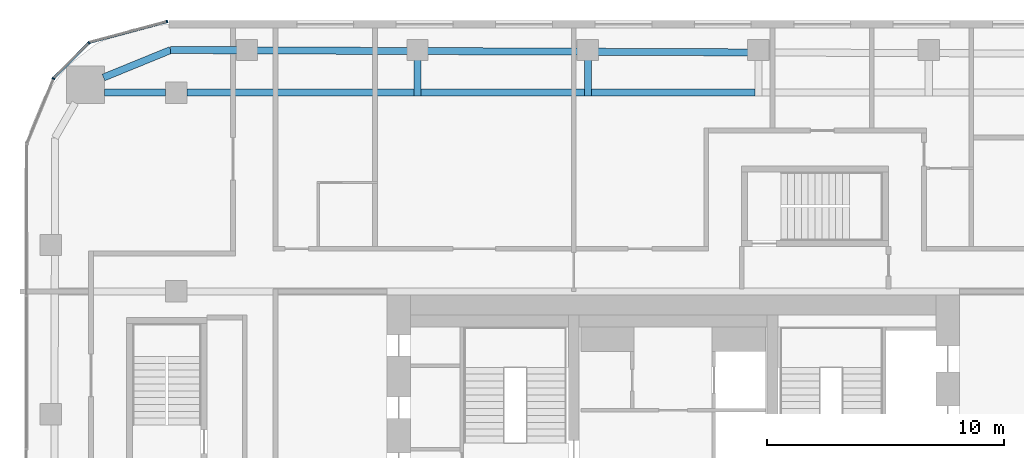
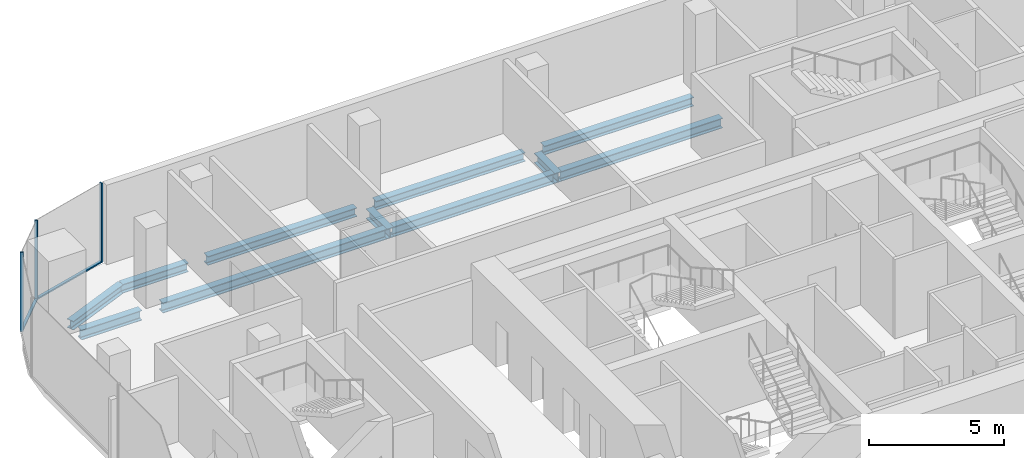
# One storey, part 10 of 23: 11 beams, 5 members, 3 elements without a shape of their own.
"""IFC4 building model written with IfcOpenShell, lengths in metres."""

import ifcopenshell
import ifcopenshell.guid

model = None  # the IFC model being written
_history = None  # IfcOwnerHistory: only IFC2X3 demands one
_inside = {}  # id of a spatial element -> (the spatial element, [elements in it])
_under = {}  # id of a project, library or spatial element -> (it, [spatial elements below it])
_declared = {}  # id of a project -> (the project, [libraries it declares])
_typed = {}  # id of a type object -> (the type object, [elements of that type])
_made_of = {}  # id of a material, layer set ... -> (it, [elements and type objects made of it])


def new_model(schema):
    """Start an empty IFC model of exactly this schema.

    Asked for "IFC4X3", IfcOpenShell would pick the latest addendum, in which some entities
    have other attributes; the version numbers below select the first issue.
    IFC2X3 requires an IfcOwnerHistory on every rooted entity: one is made here for all.
    """
    global model, _history
    if schema == "IFC4X3":
        model = ifcopenshell.file(schema_version=(4, 3, 0, 0))
    else:
        model = ifcopenshell.file(schema=schema)
    _inside.clear()
    _under.clear()
    _declared.clear()
    _typed.clear()
    _made_of.clear()
    _history = None
    if model.schema == "IFC2X3":
        org = make("IfcOrganization", Name="unknown")
        user = make(
            "IfcPersonAndOrganization",
            ThePerson=make("IfcPerson", FamilyName="unknown"),
            TheOrganization=org,
        )
        app = make(
            "IfcApplication",
            ApplicationDeveloper=org,
            Version="unknown",
            ApplicationFullName="unknown",
            ApplicationIdentifier="unknown",
        )
        _history = make(
            "IfcOwnerHistory",
            OwningUser=user,
            OwningApplication=app,
            ChangeAction="ADDED",
            CreationDate=0,
        )
    return model


def make(cls, **values):
    """One entity of the class cls with the attributes given. An attribute that is None is left unset."""
    return model.create_entity(
        cls, **{name: value for name, value in values.items() if value is not None}
    )


def rooted(cls, **values):
    """An entity with a GlobalId (a new one), such as an element, a storey or a relation."""
    return make(cls, GlobalId=ifcopenshell.guid.new(), OwnerHistory=_history, **values)


def si_unit(unit_type, name, prefix=None):
    """IfcSIUnit, for example si_unit("LENGTHUNIT", "METRE", prefix="MILLI")."""
    return make("IfcSIUnit", UnitType=unit_type, Prefix=prefix, Name=name)


def assignment(units):
    """IfcUnitAssignment: the units of a project."""
    return None if units is None else make("IfcUnitAssignment", Units=units)


def point(xyz):
    """IfcCartesianPoint."""
    return None if xyz is None else make("IfcCartesianPoint", Coordinates=xyz)


def direction(xyz):
    """IfcDirection."""
    return None if xyz is None else make("IfcDirection", DirectionRatios=xyz)


def frame(location, z_axis=None, x_axis=None):
    """IfcAxis2Placement3D, a coordinate frame: its origin and axes. An axis left out is left unset."""
    return make(
        "IfcAxis2Placement3D",
        Location=point(location),
        Axis=direction(z_axis),
        RefDirection=direction(x_axis),
    )


def frame_2d(location, x_axis=None):
    """IfcAxis2Placement2D, a coordinate frame in the plane: its origin and x axis."""
    return make(
        "IfcAxis2Placement2D", Location=point(location), RefDirection=direction(x_axis)
    )


def origin():
    """The frame at (0, 0, 0) with its axes left unset."""
    return frame((0.0, 0.0, 0.0))


def origin_2d():
    """The frame at (0, 0) in the plane with its x axis left unset."""
    return frame_2d((0.0, 0.0))


def place(relative_to, where):
    """IfcLocalPlacement: puts the frame where relative to a parent placement (None: the world)."""
    return make(
        "IfcLocalPlacement", PlacementRelTo=relative_to, RelativePlacement=where
    )


def context(
    kind, dimensions, precision=None, world=None, true_north=None, identifier=None
):
    """IfcGeometricRepresentationContext, for example the 3D "Model" context."""
    return make(
        "IfcGeometricRepresentationContext",
        ContextIdentifier=identifier,
        ContextType=kind,
        CoordinateSpaceDimension=dimensions,
        Precision=precision,
        WorldCoordinateSystem=world,
        TrueNorth=true_north,
    )


def subcontext(parent, identifier, kind, view, scale=None):
    """IfcGeometricRepresentationSubContext, for example "Body" below "Model"."""
    return make(
        "IfcGeometricRepresentationSubContext",
        ContextIdentifier=identifier,
        ContextType=kind,
        ParentContext=parent,
        TargetScale=scale,
        TargetView=view,
    )


def project(units=None, contexts=None):
    """IfcProject with its units and contexts."""
    return rooted(
        "IfcProject",
        Name="project",
        RepresentationContexts=contexts,
        UnitsInContext=assignment(units),
    )


def spatial(cls, under=None, at=None, **own):
    """A site, building, storey or space (cls), placed at a placement, below another one or the project."""
    s = rooted(cls, ObjectPlacement=at, **own)
    if under is not None:
        _under.setdefault(under.id(), (under, []))[1].append(s)
    return s


def profile(cls, at=None, kind="AREA", **sizes):
    """A parametric profile (cls). Its sizes go by their IFC names, for example OverallWidth=200.0."""
    return make(cls, ProfileType=kind, Position=at, **sizes)


def rectangle(**sizes):
    """IfcRectangleProfileDef."""
    return profile("IfcRectangleProfileDef", **sizes)


def i_section(**sizes):
    """IfcIShapeProfileDef."""
    return profile("IfcIShapeProfileDef", **sizes)


def extrude(swept, where, along, depth):
    """IfcExtrudedAreaSolid: the profile swept, set in the frame where, extruded along a direction by depth."""
    return make(
        "IfcExtrudedAreaSolid",
        SweptArea=swept,
        Position=where,
        ExtrudedDirection=direction(along),
        Depth=depth,
    )


def shape(context_of_items, identifier, shape_type, items):
    """IfcShapeRepresentation: the items that make up one representation, for example the "Body"."""
    return make(
        "IfcShapeRepresentation",
        ContextOfItems=context_of_items,
        RepresentationIdentifier=identifier,
        RepresentationType=shape_type,
        Items=items,
    )


def material(Name=None, Category=None):
    """IfcMaterial."""
    return make("IfcMaterial", Name=Name, Category=Category)


def layer(
    of_material, thickness, ventilated=None, Name=None, Category=None, Priority=None
):
    """IfcMaterialLayer: one layer of a wall or slab, of a material (None: an air gap)."""
    return make(
        "IfcMaterialLayer",
        Material=of_material,
        LayerThickness=thickness,
        IsVentilated=ventilated,
        Name=Name,
        Category=Category,
        Priority=Priority,
    )


def layer_set(layers, Name=None):
    """IfcMaterialLayerSet."""
    return make("IfcMaterialLayerSet", MaterialLayers=layers, LayerSetName=Name)


def material_profile(
    of_material, cross_section, Name=None, Category=None, Priority=None
):
    """IfcMaterialProfile: a cross section and its material."""
    return make(
        "IfcMaterialProfile",
        Name=Name,
        Material=of_material,
        Profile=cross_section,
        Priority=Priority,
        Category=Category,
    )


def profile_set(profiles, Name=None, composite=None):
    """IfcMaterialProfileSet."""
    return make(
        "IfcMaterialProfileSet",
        Name=Name,
        MaterialProfiles=profiles,
        CompositeProfile=composite,
    )


def made_of(thing, what):
    """Note that an element or type object is made of a material, layer set ...; save() writes the relation."""
    if what is not None:
        _made_of.setdefault(what.id(), (what, []))[1].append(thing)
    return thing


def type_object(cls, material=None, **own):
    """A type object (cls), such as IfcWallType, which elements share."""
    return made_of(rooted(cls, **own), material)


def element(
    cls,
    number,
    at=None,
    inside=None,
    cuts=None,
    type_object=None,
    material=None,
    context=None,
    identifier="Body",
    shape_type=None,
    held_by="IfcProductDefinitionShape",
    body=None,
    shapes=None,
    **own,
):
    """One element of the class cls, such as IfcWall. Its Tag is "e" and its number.

    at: its placement. inside: the storey or other place that contains it. cuts: it is an
    opening in that element (IfcRelVoidsElement). A single representation is given by context,
    identifier, shape_type and body (its items); several are given by shapes. held_by: the class
    of the entity that holds the representations. save() writes the other relations.
    """
    e = rooted(cls, Tag="e%d" % number, ObjectPlacement=at, **own)
    if body is not None:
        shapes = [shape(context, identifier, shape_type, body)]
    if shapes is not None:
        e.Representation = make(held_by, Representations=shapes)
    if inside is not None:
        _inside.setdefault(inside.id(), (inside, []))[1].append(e)
    if cuts is not None:
        rooted(
            "IfcRelVoidsElement", RelatingBuildingElement=cuts, RelatedOpeningElement=e
        )
    if type_object is not None:
        _typed.setdefault(type_object.id(), (type_object, []))[1].append(e)
    return made_of(e, material)


def aggregate(whole, parts):
    """IfcRelAggregates: a whole, such as a stair, and the parts it consists of."""
    return rooted("IfcRelAggregates", RelatingObject=whole, RelatedObjects=parts)


def save(model, path):
    """Write the relations noted so far, then the file.

    IfcRelAggregates (storeys below a building ...), IfcRelContainedInSpatialStructure (elements
    in a storey), IfcRelDefinesByType, IfcRelAssociatesMaterial and IfcRelDeclares: one each for
    every whole, place, type object, material and project.
    """
    for whole, parts in _under.values():
        aggregate(whole, parts)
    for where, things in _inside.values():
        rooted(
            "IfcRelContainedInSpatialStructure",
            RelatedElements=things,
            RelatingStructure=where,
        )
    for kind, things in _typed.values():
        rooted("IfcRelDefinesByType", RelatedObjects=things, RelatingType=kind)
    for what, things in _made_of.values():
        rooted("IfcRelAssociatesMaterial", RelatedObjects=things, RelatingMaterial=what)
    for by, libraries in _declared.values():
        rooted("IfcRelDeclares", RelatingContext=by, RelatedDefinitions=libraries)
    model.write(path)


model = new_model("IFC4")

# Units and contexts
model_context = context("Model", 3, precision=1e-05, world=origin(), true_north=direction((0.0, 1.0)))
body_context = subcontext(model_context, "Body", "Model", "MODEL_VIEW")
ifc_project = project(units=[si_unit("LENGTHUNIT", "METRE"), si_unit("AREAUNIT", "SQUARE_METRE"), si_unit("VOLUMEUNIT", "CUBIC_METRE"), si_unit("PLANEANGLEUNIT", "RADIAN"), si_unit("MASSUNIT", "GRAM", prefix="KILO")], contexts=[model_context])

# Site, building, storey
site_placement = place(None, origin())
site = spatial("IfcSite", under=ifc_project, at=site_placement, CompositionType="ELEMENT")
building_placement = place(site_placement, origin())
building = spatial("IfcBuilding", under=site, at=building_placement, Name="Marenta Gate Hotel Tower", CompositionType="ELEMENT")
storey_placement = place(building_placement, frame((0.0, 0.0, 148.10009765625)))
storey = spatial("IfcBuildingStorey", under=building, at=storey_placement, Name="L34", CompositionType="ELEMENT", Elevation=148.10009765625)

# Beams
ifc_material_1 = material(Name="Steel S355", Category="steel")
ifc_material_profile_1 = material_profile(ifc_material_1, i_section(OverallWidth=0.300048828125, OverallDepth=0.39990234375, WebThickness=0.013427734375, FlangeThickness=0.02392578125, FilletRadius=0.027099609375, at=origin_2d()), Name="HEB 400")
ifc_profile_set_1 = profile_set([ifc_material_profile_1], Name="Steel S355")
beam_type_1 = type_object("IfcBeamType", Name="Edge beam HEB 400", PredefinedType="SPANDREL", material=ifc_profile_set_1)
beam_1_placement = place(storey_placement, frame((-24.072509765625, 25.839111328125, -0.460205078125), z_axis=(0.925565978946, 0.378586342356, 0.0), x_axis=(-0.378586342356, 0.925565978946, 0.0)))
element("IfcBeam", 1, at=beam_1_placement, inside=storey, type_object=beam_type_1, Name="L34-EB-12", PredefinedType="SPANDREL", context=body_context, shape_type="SweptSolid", body=[
    extrude(i_section(OverallWidth=0.300048828125, OverallDepth=0.39990234375, WebThickness=0.013427734375, FlangeThickness=0.02392578125, FilletRadius=0.027099609375, at=origin_2d()), origin(), (0.0, 0.0, 1.0), 3.06640625),
])
beam_2_placement = place(storey_placement, frame((-21.234375, 27.0, -0.460205078125), z_axis=(0.999991706293, -0.004072756516, 0.0), x_axis=(0.004072756516, 0.999991706293, 0.0)))
element("IfcBeam", 2, at=beam_2_placement, inside=storey, type_object=beam_type_1, Name="L34-EB-13", PredefinedType="SPANDREL", context=body_context, shape_type="SweptSolid", body=[
    extrude(i_section(OverallWidth=0.300048828125, OverallDepth=0.39990234375, WebThickness=0.013427734375, FlangeThickness=0.02392578125, FilletRadius=0.027099609375, at=origin_2d()), origin(), (0.0, 0.0, 1.0), 2.8173828125),
])
beam_3_placement = place(storey_placement, frame((-17.596923828125, 26.985107421875, -0.460205078125), z_axis=(0.999991780748, -0.00405443424, 0.0), x_axis=(0.00405443424, 0.999991780748, 0.0)))
element("IfcBeam", 3, at=beam_3_placement, inside=storey, type_object=beam_type_1, Name="L34-EB-14", PredefinedType="SPANDREL", context=body_context, shape_type="SweptSolid", body=[
    extrude(i_section(OverallWidth=0.300048828125, OverallDepth=0.39990234375, WebThickness=0.013427734375, FlangeThickness=0.02392578125, FilletRadius=0.027099609375, at=origin_2d()), origin(), (0.0, 0.0, 1.0), 6.3828125),
])
beam_4_placement = place(storey_placement, frame((-10.39404296875, 26.955810546875, -0.460205078125), z_axis=(0.999991624297, -0.004092839529, 0.0), x_axis=(0.004092839529, 0.999991624297, 0.0)))
element("IfcBeam", 4, at=beam_4_placement, inside=storey, type_object=beam_type_1, Name="L34-EB-15", PredefinedType="SPANDREL", context=body_context, shape_type="SweptSolid", body=[
    extrude(i_section(OverallWidth=0.300048828125, OverallDepth=0.39990234375, WebThickness=0.013427734375, FlangeThickness=0.02392578125, FilletRadius=0.027099609375, at=origin_2d()), origin(), (0.0, 0.0, 1.0), 6.382568359375),
])
beam_5_placement = place(storey_placement, frame((-3.19140625, 26.926513671875, -0.460205078125), z_axis=(0.999991624938, -0.004092682982, 0.0), x_axis=(0.004092682982, 0.999991624938, 0.0)))
element("IfcBeam", 5, at=beam_5_placement, inside=storey, type_object=beam_type_1, Name="L34-EB-16", PredefinedType="SPANDREL", context=body_context, shape_type="SweptSolid", body=[
    extrude(i_section(OverallWidth=0.300048828125, OverallDepth=0.39990234375, WebThickness=0.013427734375, FlangeThickness=0.02392578125, FilletRadius=0.027099609375, at=origin_2d()), origin(), (0.0, 0.0, 1.0), 6.3828125),
])
ifc_material_2 = material(Name="Steel S355", Category="steel")
ifc_material_profile_2 = material_profile(ifc_material_2, i_section(OverallWidth=0.300048828125, OverallDepth=0.449951171875, WebThickness=0.013916015625, FlangeThickness=0.02587890625, FilletRadius=0.027099609375, at=origin_2d()), Name="HEB 450")
ifc_profile_set_2 = profile_set([ifc_material_profile_2], Name="Steel S355")
beam_type_2 = type_object("IfcBeamType", Name="Girder HEB 450", PredefinedType="BEAM", material=ifc_profile_set_2)
beam_6_placement = place(storey_placement, frame((-24.035400390625, 25.199951171875, -0.485107421875), z_axis=(1.0, 0.0, 0.0), x_axis=(0.0, 1.0, 0.0)))
element("IfcBeam", 6, at=beam_6_placement, inside=storey, type_object=beam_type_2, Name="L34-GD-29", PredefinedType="BEAM", context=body_context, shape_type="SweptSolid", body=[
    extrude(i_section(OverallWidth=0.300048828125, OverallDepth=0.449951171875, WebThickness=0.013916015625, FlangeThickness=0.02587890625, FilletRadius=0.027099609375, at=origin_2d()), origin(), (0.0, 0.0, 1.0), 2.58544921875),
])
beam_7_placement = place(storey_placement, frame((-20.550048828125, 25.199951171875, -0.485107421875), z_axis=(1.0, 0.0, 0.0), x_axis=(0.0, 1.0, 0.0)))
element("IfcBeam", 7, at=beam_7_placement, inside=storey, type_object=beam_type_2, Name="L34-GD-30", PredefinedType="BEAM", context=body_context, shape_type="SweptSolid", body=[
    extrude(i_section(OverallWidth=0.300048828125, OverallDepth=0.449951171875, WebThickness=0.013916015625, FlangeThickness=0.02587890625, FilletRadius=0.027099609375, at=origin_2d()), origin(), (0.0, 0.0, 1.0), 9.595947265625),
])
beam_8_placement = place(storey_placement, frame((-10.654052734375, 25.199951171875, -0.485107421875), z_axis=(1.0, 0.0, 0.0), x_axis=(0.0, 1.0, 0.0)))
element("IfcBeam", 8, at=beam_8_placement, inside=storey, type_object=beam_type_2, Name="L34-GD-31", PredefinedType="BEAM", context=body_context, shape_type="SweptSolid", body=[
    extrude(i_section(OverallWidth=0.300048828125, OverallDepth=0.449951171875, WebThickness=0.013916015625, FlangeThickness=0.02587890625, FilletRadius=0.027099609375, at=origin_2d()), origin(), (0.0, 0.0, 1.0), 6.902587890625),
])
beam_9_placement = place(storey_placement, frame((-3.451416015625, 25.199951171875, -0.485107421875), z_axis=(1.0, 0.0, 0.0), x_axis=(0.0, 1.0, 0.0)))
element("IfcBeam", 9, at=beam_9_placement, inside=storey, type_object=beam_type_2, Name="L34-GD-32", PredefinedType="BEAM", context=body_context, shape_type="SweptSolid", body=[
    extrude(i_section(OverallWidth=0.300048828125, OverallDepth=0.449951171875, WebThickness=0.013916015625, FlangeThickness=0.02587890625, FilletRadius=0.027099609375, at=origin_2d()), origin(), (0.0, 0.0, 1.0), 6.90283203125),
])
ifc_material_3 = material(Name="Steel S355", Category="steel")
ifc_material_profile_3 = material_profile(ifc_material_3, i_section(OverallWidth=0.300048828125, OverallDepth=0.449951171875, WebThickness=0.013916015625, FlangeThickness=0.02587890625, FilletRadius=0.027099609375, at=origin_2d()), Name="HEB 450")
ifc_profile_set_3 = profile_set([ifc_material_profile_3], Name="Steel S355")
beam_type_3 = type_object("IfcBeamType", Name="Girder bracket HEB 450", PredefinedType="BEAM", material=ifc_profile_set_3)
for number, where, z_axis, x_axis, name in (
    (10, (-10.80419921875, 25.050048828125, -0.485107421875), (0.0, 1.0, 0.0), (-1.0, 0.0, 0.0), "L34-GS-1"),
    (11, (-3.601318359375, 25.050048828125, -0.485107421875), (0.0, 1.0, 0.0), (-1.0, 0.0, 0.0), "L34-GS-2"),
):
    element("IfcBeam", number, at=place(storey_placement, frame(where, z_axis=z_axis, x_axis=x_axis)), inside=storey, type_object=beam_type_3, Name=name, PredefinedType="BEAM", context=body_context, shape_type="SweptSolid", body=[
        extrude(i_section(OverallWidth=0.300048828125, OverallDepth=0.449951171875, WebThickness=0.013916015625, FlangeThickness=0.02587890625, FilletRadius=0.027099609375, at=origin_2d()), origin(), (0.0, 0.0, 1.0), 1.5400390625),
    ])

# Curtain wall, member
ifc_material_4 = material(Name="Tinted insulated glass in bronze anodised frame", Category="glass")
ifc_layer = layer(ifc_material_4, 0.1201171875)
ifc_layer_set = layer_set([ifc_layer], Name="Tinted insulated glass in bronze anodised frame")
curtain_wall_type = type_object("IfcCurtainWallType", Name="Tower unitised curtain wall CW1", PredefinedType="NOTDEFINED", material=ifc_layer_set)
curtain_wall_1_placement = place(storey_placement, origin())
curtain_wall_1 = element("IfcCurtainWall", 12, at=curtain_wall_1_placement, inside=storey, type_object=curtain_wall_type, Name="CW1 run G00", PredefinedType="NOTDEFINED")
ifc_material_5 = material(Name="Bronze anodised aluminium", Category="aluminium")
ifc_material_profile_4 = material_profile(ifc_material_5, rectangle(XDim=0.1201171875, YDim=0.06005859375, at=origin_2d()), Name="Mullion CW1 60x120 bronze anodised aluminium")
ifc_profile_set_4 = profile_set([ifc_material_profile_4], Name="Bronze anodised aluminium")
member_type_1 = type_object("IfcMemberType", Name="Mullion CW1 60x120 bronze anodised aluminium", PredefinedType="MULLION", material=ifc_profile_set_4)
member_1_placement = place(storey_placement, frame((-21.385498046875, 28.203125, 0.0), z_axis=(0.0, 0.0, 1.0), x_axis=(0.258801234873, -0.96593059835, 0.0)))
member_1 = element("IfcMember", 13, at=member_1_placement, type_object=member_type_1, Name="CW1 mullion 1", PredefinedType="MULLION", context=body_context, shape_type="SweptSolid", body=[
    extrude(rectangle(XDim=0.1201171875, YDim=0.06005859375, at=origin_2d()), origin(), (0.0, 0.0, 1.0), 3.599853515625),
])

curtain_wall_2_placement = place(storey_placement, origin())
curtain_wall_2 = element("IfcCurtainWall", 14, at=curtain_wall_2_placement, inside=storey, type_object=curtain_wall_type, Name="CW1 run G01", PredefinedType="NOTDEFINED")
member_2_placement = place(storey_placement, frame((-24.68798828125, 27.302978515625, 0.0), z_axis=(0.0, 0.0, 1.0), x_axis=(0.707106781187, -0.707106781187, 0.0)))
member_2 = element("IfcMember", 15, at=member_2_placement, type_object=member_type_1, Name="CW1 mullion 1", PredefinedType="MULLION", context=body_context, shape_type="SweptSolid", body=[
    extrude(rectangle(XDim=0.1201171875, YDim=0.06005859375, at=origin_2d()), origin(), (0.0, 0.0, 1.0), 3.599853515625),
])

curtain_wall_3_placement = place(storey_placement, origin())
curtain_wall_3 = element("IfcCurtainWall", 16, at=curtain_wall_3_placement, inside=storey, type_object=curtain_wall_type, Name="CW1 run G02", PredefinedType="NOTDEFINED")
member_3_placement = place(storey_placement, frame((-26.183837890625, 25.790771484375, 0.0), z_axis=(0.0, 0.0, 1.0), x_axis=(0.923884278178, -0.382671975111, 0.0)))
member_3 = element("IfcMember", 17, at=member_3_placement, type_object=member_type_1, Name="CW1 mullion 1", PredefinedType="MULLION", context=body_context, shape_type="SweptSolid", body=[
    extrude(rectangle(XDim=0.1201171875, YDim=0.06005859375, at=origin_2d()), origin(), (0.0, 0.0, 1.0), 3.599853515625),
])
aggregate(curtain_wall_3, [member_3])

# Member
ifc_material_6 = material(Name="Bronze anodised aluminium", Category="aluminium")
ifc_material_profile_5 = material_profile(ifc_material_6, rectangle(XDim=0.1201171875, YDim=0.06005859375, at=origin_2d()), Name="Transom CW1 60x120 bronze anodised aluminium")
ifc_profile_set_5 = profile_set([ifc_material_profile_5], Name="Bronze anodised aluminium")
member_type_2 = type_object("IfcMemberType", Name="Transom CW1 60x120 bronze anodised aluminium", PredefinedType="USERDEFINED", material=ifc_profile_set_5)
member_4_placement = place(storey_placement, frame((-21.41455078125, 28.195556640625, 0.02978515625), z_axis=(-0.965932192411, -0.258795285243, 0.0), x_axis=(0.258795285243, -0.965932192411, 0.0)))
member_4 = element("IfcMember", 18, at=member_4_placement, type_object=member_type_2, Name="CW1 transom 1.1", ObjectType="TRANSOM", PredefinedType="USERDEFINED", context=body_context, shape_type="SweptSolid", body=[
    extrude(rectangle(XDim=0.1201171875, YDim=0.06005859375, at=origin_2d()), origin(), (0.0, 0.0, 1.0), 3.366943359375),
])

aggregate(curtain_wall_1, [member_1, member_4])

member_5_placement = place(storey_placement, frame((-24.709228515625, 27.28173828125, 0.02978515625), z_axis=(-0.707106781187, -0.707106781187, 0.0), x_axis=(0.707106781187, -0.707106781187, 0.0)))
member_5 = element("IfcMember", 19, at=member_5_placement, type_object=member_type_2, Name="CW1 transom 1.1", ObjectType="TRANSOM", PredefinedType="USERDEFINED", context=body_context, shape_type="SweptSolid", body=[
    extrude(rectangle(XDim=0.1201171875, YDim=0.06005859375, at=origin_2d()), origin(), (0.0, 0.0, 1.0), 2.069091796875),
])

aggregate(curtain_wall_2, [member_2, member_5])

save(model, "model.ifc")
